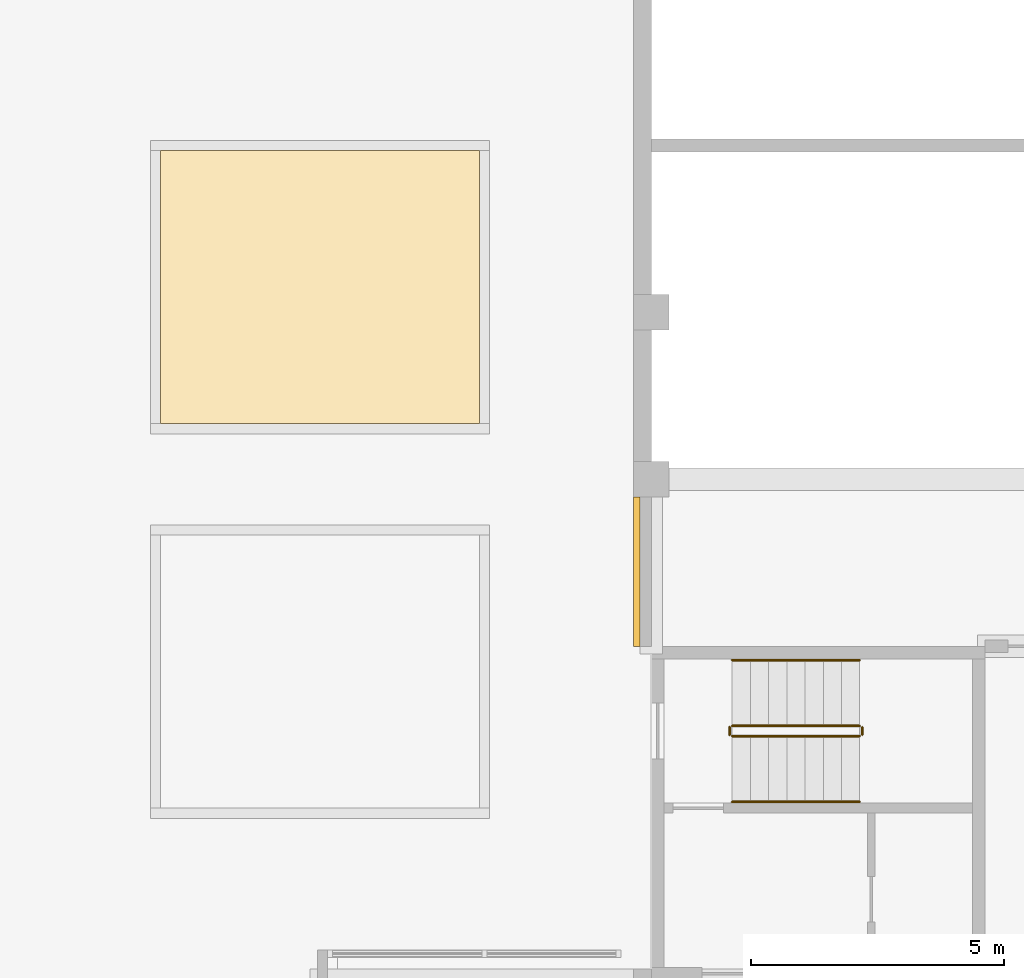
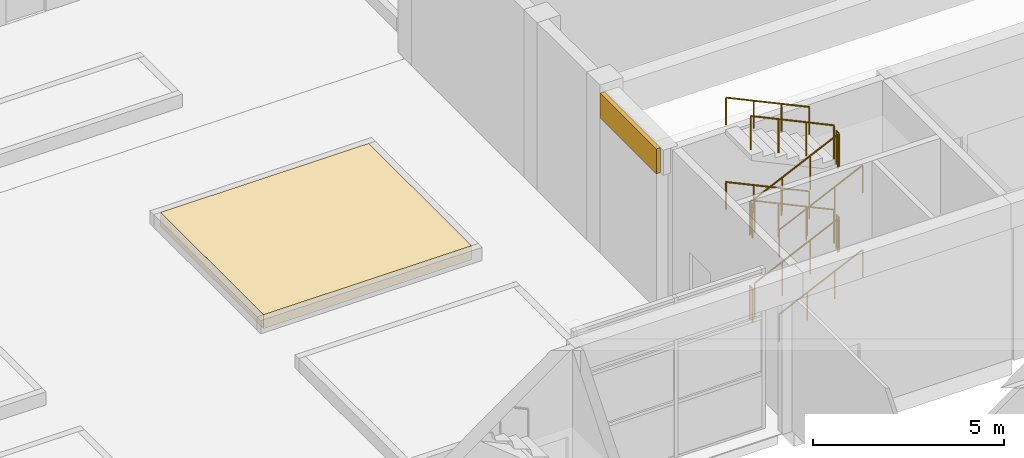
# One storey, part 70 of 85: 12 railings, 2 coverings.
"""IFC4 building model written with IfcOpenShell, lengths in metres."""

import ifcopenshell
import ifcopenshell.guid

model = None  # the IFC model being written
_history = None  # IfcOwnerHistory: only IFC2X3 demands one
_inside = {}  # id of a spatial element -> (the spatial element, [elements in it])
_under = {}  # id of a project, library or spatial element -> (it, [spatial elements below it])
_declared = {}  # id of a project -> (the project, [libraries it declares])
_typed = {}  # id of a type object -> (the type object, [elements of that type])
_made_of = {}  # id of a material, layer set ... -> (it, [elements and type objects made of it])


def new_model(schema):
    """Start an empty IFC model of exactly this schema.

    Asked for "IFC4X3", IfcOpenShell would pick the latest addendum, in which some entities
    have other attributes; the version numbers below select the first issue.
    IFC2X3 requires an IfcOwnerHistory on every rooted entity: one is made here for all.
    """
    global model, _history
    if schema == "IFC4X3":
        model = ifcopenshell.file(schema_version=(4, 3, 0, 0))
    else:
        model = ifcopenshell.file(schema=schema)
    _inside.clear()
    _under.clear()
    _declared.clear()
    _typed.clear()
    _made_of.clear()
    _history = None
    if model.schema == "IFC2X3":
        org = make("IfcOrganization", Name="unknown")
        user = make(
            "IfcPersonAndOrganization",
            ThePerson=make("IfcPerson", FamilyName="unknown"),
            TheOrganization=org,
        )
        app = make(
            "IfcApplication",
            ApplicationDeveloper=org,
            Version="unknown",
            ApplicationFullName="unknown",
            ApplicationIdentifier="unknown",
        )
        _history = make(
            "IfcOwnerHistory",
            OwningUser=user,
            OwningApplication=app,
            ChangeAction="ADDED",
            CreationDate=0,
        )
    return model


def make(cls, **values):
    """One entity of the class cls with the attributes given. An attribute that is None is left unset."""
    return model.create_entity(
        cls, **{name: value for name, value in values.items() if value is not None}
    )


def rooted(cls, **values):
    """An entity with a GlobalId (a new one), such as an element, a storey or a relation."""
    return make(cls, GlobalId=ifcopenshell.guid.new(), OwnerHistory=_history, **values)


def si_unit(unit_type, name, prefix=None):
    """IfcSIUnit, for example si_unit("LENGTHUNIT", "METRE", prefix="MILLI")."""
    return make("IfcSIUnit", UnitType=unit_type, Prefix=prefix, Name=name)


def assignment(units):
    """IfcUnitAssignment: the units of a project."""
    return None if units is None else make("IfcUnitAssignment", Units=units)


def point(xyz):
    """IfcCartesianPoint."""
    return None if xyz is None else make("IfcCartesianPoint", Coordinates=xyz)


def direction(xyz):
    """IfcDirection."""
    return None if xyz is None else make("IfcDirection", DirectionRatios=xyz)


def frame(location, z_axis=None, x_axis=None):
    """IfcAxis2Placement3D, a coordinate frame: its origin and axes. An axis left out is left unset."""
    return make(
        "IfcAxis2Placement3D",
        Location=point(location),
        Axis=direction(z_axis),
        RefDirection=direction(x_axis),
    )


def frame_2d(location, x_axis=None):
    """IfcAxis2Placement2D, a coordinate frame in the plane: its origin and x axis."""
    return make(
        "IfcAxis2Placement2D", Location=point(location), RefDirection=direction(x_axis)
    )


def origin():
    """The frame at (0, 0, 0) with its axes left unset."""
    return frame((0.0, 0.0, 0.0))


def origin_2d():
    """The frame at (0, 0) in the plane with its x axis left unset."""
    return frame_2d((0.0, 0.0))


def place(relative_to, where):
    """IfcLocalPlacement: puts the frame where relative to a parent placement (None: the world)."""
    return make(
        "IfcLocalPlacement", PlacementRelTo=relative_to, RelativePlacement=where
    )


def context(
    kind, dimensions, precision=None, world=None, true_north=None, identifier=None
):
    """IfcGeometricRepresentationContext, for example the 3D "Model" context."""
    return make(
        "IfcGeometricRepresentationContext",
        ContextIdentifier=identifier,
        ContextType=kind,
        CoordinateSpaceDimension=dimensions,
        Precision=precision,
        WorldCoordinateSystem=world,
        TrueNorth=true_north,
    )


def subcontext(parent, identifier, kind, view, scale=None):
    """IfcGeometricRepresentationSubContext, for example "Body" below "Model"."""
    return make(
        "IfcGeometricRepresentationSubContext",
        ContextIdentifier=identifier,
        ContextType=kind,
        ParentContext=parent,
        TargetScale=scale,
        TargetView=view,
    )


def project(units=None, contexts=None):
    """IfcProject with its units and contexts."""
    return rooted(
        "IfcProject",
        Name="project",
        RepresentationContexts=contexts,
        UnitsInContext=assignment(units),
    )


def spatial(cls, under=None, at=None, **own):
    """A site, building, storey or space (cls), placed at a placement, below another one or the project."""
    s = rooted(cls, ObjectPlacement=at, **own)
    if under is not None:
        _under.setdefault(under.id(), (under, []))[1].append(s)
    return s


def polyline(points):
    """IfcPolyline through the points."""
    return make("IfcPolyline", Points=[point(p) for p in points])


def profile(cls, at=None, kind="AREA", **sizes):
    """A parametric profile (cls). Its sizes go by their IFC names, for example OverallWidth=200.0."""
    return make(cls, ProfileType=kind, Position=at, **sizes)


def rectangle(**sizes):
    """IfcRectangleProfileDef."""
    return profile("IfcRectangleProfileDef", **sizes)


def circle(**sizes):
    """IfcCircleProfileDef."""
    return profile("IfcCircleProfileDef", **sizes)


def outline(outer, holes=None, kind="AREA"):
    """IfcArbitraryClosedProfileDef: a profile drawn as a closed curve; with holes, ...WithVoids."""
    if holes is None:
        return make("IfcArbitraryClosedProfileDef", ProfileType=kind, OuterCurve=outer)
    return make(
        "IfcArbitraryProfileDefWithVoids",
        ProfileType=kind,
        OuterCurve=outer,
        InnerCurves=holes,
    )


def extrude(swept, where, along, depth):
    """IfcExtrudedAreaSolid: the profile swept, set in the frame where, extruded along a direction by depth."""
    return make(
        "IfcExtrudedAreaSolid",
        SweptArea=swept,
        Position=where,
        ExtrudedDirection=direction(along),
        Depth=depth,
    )


def shape(context_of_items, identifier, shape_type, items):
    """IfcShapeRepresentation: the items that make up one representation, for example the "Body"."""
    return make(
        "IfcShapeRepresentation",
        ContextOfItems=context_of_items,
        RepresentationIdentifier=identifier,
        RepresentationType=shape_type,
        Items=items,
    )


def material(Name=None, Category=None):
    """IfcMaterial."""
    return make("IfcMaterial", Name=Name, Category=Category)


def layer(
    of_material, thickness, ventilated=None, Name=None, Category=None, Priority=None
):
    """IfcMaterialLayer: one layer of a wall or slab, of a material (None: an air gap)."""
    return make(
        "IfcMaterialLayer",
        Material=of_material,
        LayerThickness=thickness,
        IsVentilated=ventilated,
        Name=Name,
        Category=Category,
        Priority=Priority,
    )


def layer_set(layers, Name=None):
    """IfcMaterialLayerSet."""
    return make("IfcMaterialLayerSet", MaterialLayers=layers, LayerSetName=Name)


def made_of(thing, what):
    """Note that an element or type object is made of a material, layer set ...; save() writes the relation."""
    if what is not None:
        _made_of.setdefault(what.id(), (what, []))[1].append(thing)
    return thing


def type_object(cls, material=None, **own):
    """A type object (cls), such as IfcWallType, which elements share."""
    return made_of(rooted(cls, **own), material)


def element(
    cls,
    number,
    at=None,
    inside=None,
    cuts=None,
    type_object=None,
    material=None,
    context=None,
    identifier="Body",
    shape_type=None,
    held_by="IfcProductDefinitionShape",
    body=None,
    shapes=None,
    **own,
):
    """One element of the class cls, such as IfcWall. Its Tag is "e" and its number.

    at: its placement. inside: the storey or other place that contains it. cuts: it is an
    opening in that element (IfcRelVoidsElement). A single representation is given by context,
    identifier, shape_type and body (its items); several are given by shapes. held_by: the class
    of the entity that holds the representations. save() writes the other relations.
    """
    e = rooted(cls, Tag="e%d" % number, ObjectPlacement=at, **own)
    if body is not None:
        shapes = [shape(context, identifier, shape_type, body)]
    if shapes is not None:
        e.Representation = make(held_by, Representations=shapes)
    if inside is not None:
        _inside.setdefault(inside.id(), (inside, []))[1].append(e)
    if cuts is not None:
        rooted(
            "IfcRelVoidsElement", RelatingBuildingElement=cuts, RelatedOpeningElement=e
        )
    if type_object is not None:
        _typed.setdefault(type_object.id(), (type_object, []))[1].append(e)
    return made_of(e, material)


def aggregate(whole, parts):
    """IfcRelAggregates: a whole, such as a stair, and the parts it consists of."""
    return rooted("IfcRelAggregates", RelatingObject=whole, RelatedObjects=parts)


def save(model, path):
    """Write the relations noted so far, then the file.

    IfcRelAggregates (storeys below a building ...), IfcRelContainedInSpatialStructure (elements
    in a storey), IfcRelDefinesByType, IfcRelAssociatesMaterial and IfcRelDeclares: one each for
    every whole, place, type object, material and project.
    """
    for whole, parts in _under.values():
        aggregate(whole, parts)
    for where, things in _inside.values():
        rooted(
            "IfcRelContainedInSpatialStructure",
            RelatedElements=things,
            RelatingStructure=where,
        )
    for kind, things in _typed.values():
        rooted("IfcRelDefinesByType", RelatedObjects=things, RelatingType=kind)
    for what, things in _made_of.values():
        rooted("IfcRelAssociatesMaterial", RelatedObjects=things, RelatingMaterial=what)
    for by, libraries in _declared.values():
        rooted("IfcRelDeclares", RelatingContext=by, RelatedDefinitions=libraries)
    model.write(path)


model = new_model("IFC4")

# Units and contexts
model_context = context("Model", 3, precision=1e-05, world=origin(), true_north=direction((0.0, 1.0)))
body_context = subcontext(model_context, "Body", "Model", "MODEL_VIEW")
ifc_project = project(units=[si_unit("LENGTHUNIT", "METRE"), si_unit("AREAUNIT", "SQUARE_METRE"), si_unit("VOLUMEUNIT", "CUBIC_METRE"), si_unit("PLANEANGLEUNIT", "RADIAN"), si_unit("MASSUNIT", "GRAM", prefix="KILO")], contexts=[model_context])

# Site, building, storey
site_placement = place(None, origin())
site = spatial("IfcSite", under=ifc_project, at=site_placement, CompositionType="ELEMENT")
building_placement = place(site_placement, origin())
building = spatial("IfcBuilding", under=site, at=building_placement, Name="Lantern Court Research Institute", CompositionType="ELEMENT")
storey_placement = place(building_placement, origin())
storey = spatial("IfcBuildingStorey", under=building, at=storey_placement, Name="L00", CompositionType="ELEMENT", Elevation=0.0)

# Coverings
ifc_material_1 = material(Name="Aluminium composite panel with mineral wool insulation", Category="aluminium")
ifc_layer_1 = layer(ifc_material_1, 0.125)
ifc_layer_set_1 = layer_set([ifc_layer_1], Name="Aluminium composite panel with mineral wool insulation")
covering_type_1 = type_object("IfcCoveringType", Name="Edge fascia panel 125 aluminium faced", PredefinedType="CLADDING", material=ifc_layer_set_1)
covering_1_placement = place(storey_placement, frame((52.512451171875, 62.699951171875, 4.35009765625), z_axis=(0.0, 0.0, 1.0), x_axis=(0.0, 1.0, 0.0)))
element("IfcCovering", 1, at=covering_1_placement, inside=storey, type_object=covering_type_1, Name="Edge fascia V1W L00 01", PredefinedType="CLADDING", context=body_context, shape_type="SweptSolid", body=[
    extrude(rectangle(XDim=2.949951171875, YDim=0.125, at=frame_2d((1.47509765625, 0.0))), origin(), (0.0, 0.0, 1.0), 0.7998046875),
])
ifc_material_2 = material(Name="Planting soil")
ifc_layer_2 = layer(ifc_material_2, 0.449951171875)
ifc_layer_set_2 = layer_set([ifc_layer_2], Name="Planting soil")
covering_type_2 = type_object("IfcCoveringType", Name="Planting soil 450 mm", PredefinedType="FLOORING", material=ifc_layer_set_2)
covering_2_placement = place(storey_placement, origin())
element("IfcCovering", 2, at=covering_2_placement, inside=storey, type_object=covering_type_2, Name="Planting bed garden walk 4", PredefinedType="FLOORING", context=body_context, shape_type="SweptSolid", body=[
    extrude(outline(polyline([(43.10009765625, 67.10009765625), (49.39990234375, 67.10009765625), (49.39990234375, 72.5), (43.10009765625, 72.5), (43.10009765625, 67.10009765625)])), origin(), (0.0, 0.0, 1.0), 0.449951171875),
])

# Railings
ifc_material_3 = material(Name="Structural steel S355", Category="steel")
railing_type_1 = type_object("IfcRailingType", Name="Stair guard 1100 steel", PredefinedType="GUARDRAIL", material=ifc_material_3)
railing_1_placement = place(storey_placement, frame((54.39990234375, 60.925048828125, 0.168701171875)))
element("IfcRailing", 3, at=railing_1_placement, inside=storey, type_object=railing_type_1, Name="L00 ST-L1 stair guard 1", PredefinedType="GUARDRAIL", context=body_context, shape_type="SweptSolid", body=[
    extrude(circle(Radius=0.02392578125, at=origin_2d()), frame((0.0, 0.0, 1.076171875), z_axis=(0.905439972488, 0.0, 0.424474329284), x_axis=(0.0, 1.0, 0.0)), (0.0, 0.0, 1.0), 2.783203125),
    extrude(circle(Radius=0.02099609375, at=origin_2d()), origin(), (0.0, 0.0, 1.0), 1.052001953125),
    extrude(circle(Radius=0.02099609375, at=origin_2d()), frame((0.840087890625, 0.0, 0.393798828125)), (0.0, 0.0, 1.0), 1.052001953125),
    extrude(circle(Radius=0.02099609375, at=origin_2d()), frame((1.679931640625, 0.0, 0.78759765625)), (0.0, 0.0, 1.0), 1.052001953125),
    extrude(circle(Radius=0.02099609375, at=origin_2d()), frame((2.52001953125, 0.0, 1.181396484375)), (0.0, 0.0, 1.0), 1.052001953125),
])
railing_2_placement = place(storey_placement, frame((56.969970703125, 60.949951171875, 1.35009765625)))
element("IfcRailing", 4, at=railing_2_placement, inside=storey, type_object=railing_type_1, Name="L00 ST-L1 stair guard 2", PredefinedType="GUARDRAIL", context=body_context, shape_type="SweptSolid", body=[
    extrude(circle(Radius=0.02392578125, at=origin_2d()), frame((0.0, 0.0, 1.076171875), z_axis=(0.0, 1.0, 0.0), x_axis=(-1.0, 0.0, 0.0)), (0.0, 0.0, 1.0), 0.150146484375),
    extrude(circle(Radius=0.02099609375, at=origin_2d()), origin(), (0.0, 0.0, 1.0), 1.052001953125),
    extrude(circle(Radius=0.02099609375, at=origin_2d()), frame((0.0, 0.150146484375, 0.0)), (0.0, 0.0, 1.0), 1.052001953125),
])
railing_3_placement = place(storey_placement, frame((56.919921875, 61.125, 1.518798828125)))
element("IfcRailing", 5, at=railing_3_placement, inside=storey, type_object=railing_type_1, Name="L00 ST-L1 stair guard 3", PredefinedType="GUARDRAIL", context=body_context, shape_type="SweptSolid", body=[
    extrude(circle(Radius=0.02392578125, at=origin_2d()), frame((0.0, 0.0, 1.076171875), z_axis=(-0.905473684625, 0.0, 0.424402410988), x_axis=(0.0, -1.0, 0.0)), (0.0, 0.0, 1.0), 2.783203125),
    extrude(circle(Radius=0.02099609375, at=origin_2d()), origin(), (0.0, 0.0, 1.0), 1.052001953125),
    extrude(circle(Radius=0.02099609375, at=origin_2d()), frame((-0.840087890625, 0.0, 0.393798828125)), (0.0, 0.0, 1.0), 1.052001953125),
    extrude(circle(Radius=0.02099609375, at=origin_2d()), frame((-1.679931640625, 0.0, 0.787353515625)), (0.0, 0.0, 1.0), 1.052001953125),
    extrude(circle(Radius=0.02099609375, at=origin_2d()), frame((-2.52001953125, 0.0, 1.18115234375)), (0.0, 0.0, 1.0), 1.052001953125),
])
railing_4_placement = place(storey_placement, frame((54.35009765625, 60.949951171875, 2.699951171875)))
element("IfcRailing", 6, at=railing_4_placement, inside=storey, type_object=railing_type_1, Name="L00 ST-L1 stair guard 4", PredefinedType="GUARDRAIL", context=body_context, shape_type="SweptSolid", body=[
    extrude(circle(Radius=0.02392578125, at=origin_2d()), frame((0.0, 0.0, 1.076171875), z_axis=(0.0, 1.0, 0.0), x_axis=(-1.0, 0.0, 0.0)), (0.0, 0.0, 1.0), 0.150146484375),
    extrude(circle(Radius=0.02099609375, at=origin_2d()), origin(), (0.0, 0.0, 1.0), 1.052001953125),
    extrude(circle(Radius=0.02099609375, at=origin_2d()), frame((0.0, 0.150146484375, 0.0)), (0.0, 0.0, 1.0), 1.052001953125),
])
railing_5_placement = place(storey_placement, frame((54.39990234375, 60.925048828125, 2.86865234375)))
element("IfcRailing", 7, at=railing_5_placement, inside=storey, type_object=railing_type_1, Name="L00 ST-L1 stair guard 5", PredefinedType="GUARDRAIL", context=body_context, shape_type="SweptSolid", body=[
    extrude(circle(Radius=0.02392578125, at=origin_2d()), frame((0.0, 0.0, 1.076171875), z_axis=(0.905439972488, 0.0, 0.424474329284), x_axis=(0.0, 1.0, 0.0)), (0.0, 0.0, 1.0), 2.783203125),
    extrude(circle(Radius=0.02099609375, at=origin_2d()), origin(), (0.0, 0.0, 1.0), 1.052001953125),
    extrude(circle(Radius=0.02099609375, at=origin_2d()), frame((0.840087890625, 0.0, 0.393798828125)), (0.0, 0.0, 1.0), 1.052001953125),
    extrude(circle(Radius=0.02099609375, at=origin_2d()), frame((1.679931640625, 0.0, 0.78759765625)), (0.0, 0.0, 1.0), 1.052001953125),
    extrude(circle(Radius=0.02099609375, at=origin_2d()), frame((2.52001953125, 0.0, 1.181396484375)), (0.0, 0.0, 1.0), 1.052001953125),
])
railing_6_placement = place(storey_placement, frame((56.969970703125, 60.949951171875, 4.050048828125)))
element("IfcRailing", 8, at=railing_6_placement, inside=storey, type_object=railing_type_1, Name="L00 ST-L1 stair guard 6", PredefinedType="GUARDRAIL", context=body_context, shape_type="SweptSolid", body=[
    extrude(circle(Radius=0.02392578125, at=origin_2d()), frame((0.0, 0.0, 1.076171875), z_axis=(0.0, 1.0, 0.0), x_axis=(-1.0, 0.0, 0.0)), (0.0, 0.0, 1.0), 0.150146484375),
    extrude(circle(Radius=0.02099609375, at=origin_2d()), origin(), (0.0, 0.0, 1.0), 1.052001953125),
    extrude(circle(Radius=0.02099609375, at=origin_2d()), frame((0.0, 0.150146484375, 0.0)), (0.0, 0.0, 1.0), 1.052001953125),
])
railing_7_placement = place(storey_placement, frame((56.919921875, 61.125, 4.21875)))
element("IfcRailing", 9, at=railing_7_placement, inside=storey, type_object=railing_type_1, Name="L00 ST-L1 stair guard 7", PredefinedType="GUARDRAIL", context=body_context, shape_type="SweptSolid", body=[
    extrude(circle(Radius=0.02392578125, at=origin_2d()), frame((0.0, 0.0, 1.076171875), z_axis=(-0.905473684625, 0.0, 0.424402410988), x_axis=(0.0, -1.0, 0.0)), (0.0, 0.0, 1.0), 2.783203125),
    extrude(circle(Radius=0.02099609375, at=origin_2d()), origin(), (0.0, 0.0, 1.0), 1.052001953125),
    extrude(circle(Radius=0.02099609375, at=origin_2d()), frame((-0.840087890625, 0.0, 0.393798828125)), (0.0, 0.0, 1.0), 1.052001953125),
    extrude(circle(Radius=0.02099609375, at=origin_2d()), frame((-1.679931640625, 0.0, 0.787353515625)), (0.0, 0.0, 1.0), 1.052001953125),
    extrude(circle(Radius=0.02099609375, at=origin_2d()), frame((-2.52001953125, 0.0, 1.18115234375)), (0.0, 0.0, 1.0), 1.052001953125),
])
railing_8_placement = place(storey_placement, frame((54.35009765625, 60.949951171875, 0.0)))
element("IfcRailing", 10, at=railing_8_placement, inside=storey, type_object=railing_type_1, Name="L00 ST-L1 stair guard 8", PredefinedType="GUARDRAIL", context=body_context, shape_type="SweptSolid", body=[
    extrude(circle(Radius=0.02392578125, at=origin_2d()), frame((0.0, 0.0, 1.076171875), z_axis=(0.0, 1.0, 0.0), x_axis=(-1.0, 0.0, 0.0)), (0.0, 0.0, 1.0), 0.150146484375),
    extrude(circle(Radius=0.02099609375, at=origin_2d()), origin(), (0.0, 0.0, 1.0), 1.052001953125),
    extrude(circle(Radius=0.02099609375, at=origin_2d()), frame((0.0, 0.150146484375, 0.0)), (0.0, 0.0, 1.0), 1.052001953125),
])
ifc_material_4 = material(Name="Stainless steel 316", Category="steel")
railing_type_2 = type_object("IfcRailingType", Name="Stair handrail 900 steel", PredefinedType="HANDRAIL", material=ifc_material_4)
railing_9_placement = place(storey_placement, frame((54.39990234375, 59.625, 0.168701171875)))
element("IfcRailing", 11, at=railing_9_placement, inside=storey, type_object=railing_type_2, Name="L00 ST-L1 stair handrail 1", PredefinedType="HANDRAIL", context=body_context, shape_type="SweptSolid", body=[
    extrude(circle(Radius=0.02392578125, at=origin_2d()), frame((0.0, 0.0, 0.8759765625), z_axis=(0.905439972488, 0.0, 0.424474329284), x_axis=(0.0, 1.0, 0.0)), (0.0, 0.0, 1.0), 2.783203125),
    extrude(circle(Radius=0.02099609375, at=origin_2d()), origin(), (0.0, 0.0, 1.0), 0.851806640625),
    extrude(circle(Radius=0.02099609375, at=origin_2d()), frame((0.840087890625, 0.0, 0.393798828125)), (0.0, 0.0, 1.0), 0.851806640625),
    extrude(circle(Radius=0.02099609375, at=origin_2d()), frame((1.679931640625, 0.0, 0.78759765625)), (0.0, 0.0, 1.0), 0.851806640625),
    extrude(circle(Radius=0.02099609375, at=origin_2d()), frame((2.52001953125, 0.0, 1.181396484375)), (0.0, 0.0, 1.0), 0.851806640625),
])
railing_10_placement = place(storey_placement, frame((56.919921875, 62.425048828125, 1.518798828125)))
element("IfcRailing", 12, at=railing_10_placement, inside=storey, type_object=railing_type_2, Name="L00 ST-L1 stair handrail 2", PredefinedType="HANDRAIL", context=body_context, shape_type="SweptSolid", body=[
    extrude(circle(Radius=0.02392578125, at=origin_2d()), frame((0.0, 0.0, 0.8759765625), z_axis=(-0.905473684625, 0.0, 0.424402410988), x_axis=(0.0, -1.0, 0.0)), (0.0, 0.0, 1.0), 2.783203125),
    extrude(circle(Radius=0.02099609375, at=origin_2d()), origin(), (0.0, 0.0, 1.0), 0.851806640625),
    extrude(circle(Radius=0.02099609375, at=origin_2d()), frame((-0.840087890625, 0.0, 0.393798828125)), (0.0, 0.0, 1.0), 0.851806640625),
    extrude(circle(Radius=0.02099609375, at=origin_2d()), frame((-1.679931640625, 0.0, 0.787353515625)), (0.0, 0.0, 1.0), 0.851806640625),
    extrude(circle(Radius=0.02099609375, at=origin_2d()), frame((-2.52001953125, 0.0, 1.18115234375)), (0.0, 0.0, 1.0), 0.851806640625),
])
railing_11_placement = place(storey_placement, frame((54.39990234375, 59.625, 2.86865234375)))
element("IfcRailing", 13, at=railing_11_placement, inside=storey, type_object=railing_type_2, Name="L00 ST-L1 stair handrail 3", PredefinedType="HANDRAIL", context=body_context, shape_type="SweptSolid", body=[
    extrude(circle(Radius=0.02392578125, at=origin_2d()), frame((0.0, 0.0, 0.8759765625), z_axis=(0.905439972488, 0.0, 0.424474329284), x_axis=(0.0, 1.0, 0.0)), (0.0, 0.0, 1.0), 2.783203125),
    extrude(circle(Radius=0.02099609375, at=origin_2d()), origin(), (0.0, 0.0, 1.0), 0.851806640625),
    extrude(circle(Radius=0.02099609375, at=origin_2d()), frame((0.840087890625, 0.0, 0.393798828125)), (0.0, 0.0, 1.0), 0.851806640625),
    extrude(circle(Radius=0.02099609375, at=origin_2d()), frame((1.679931640625, 0.0, 0.78759765625)), (0.0, 0.0, 1.0), 0.851806640625),
    extrude(circle(Radius=0.02099609375, at=origin_2d()), frame((2.52001953125, 0.0, 1.181396484375)), (0.0, 0.0, 1.0), 0.851806640625),
])
railing_12_placement = place(storey_placement, frame((56.919921875, 62.425048828125, 4.21875)))
element("IfcRailing", 14, at=railing_12_placement, inside=storey, type_object=railing_type_2, Name="L00 ST-L1 stair handrail 4", PredefinedType="HANDRAIL", context=body_context, shape_type="SweptSolid", body=[
    extrude(circle(Radius=0.02392578125, at=origin_2d()), frame((0.0, 0.0, 0.8759765625), z_axis=(-0.905473684625, 0.0, 0.424402410988), x_axis=(0.0, -1.0, 0.0)), (0.0, 0.0, 1.0), 2.783203125),
    extrude(circle(Radius=0.02099609375, at=origin_2d()), origin(), (0.0, 0.0, 1.0), 0.851806640625),
    extrude(circle(Radius=0.02099609375, at=origin_2d()), frame((-0.840087890625, 0.0, 0.393798828125)), (0.0, 0.0, 1.0), 0.851806640625),
    extrude(circle(Radius=0.02099609375, at=origin_2d()), frame((-1.679931640625, 0.0, 0.787353515625)), (0.0, 0.0, 1.0), 0.851806640625),
    extrude(circle(Radius=0.02099609375, at=origin_2d()), frame((-2.52001953125, 0.0, 1.18115234375)), (0.0, 0.0, 1.0), 0.851806640625),
])

save(model, "model.ifc")
